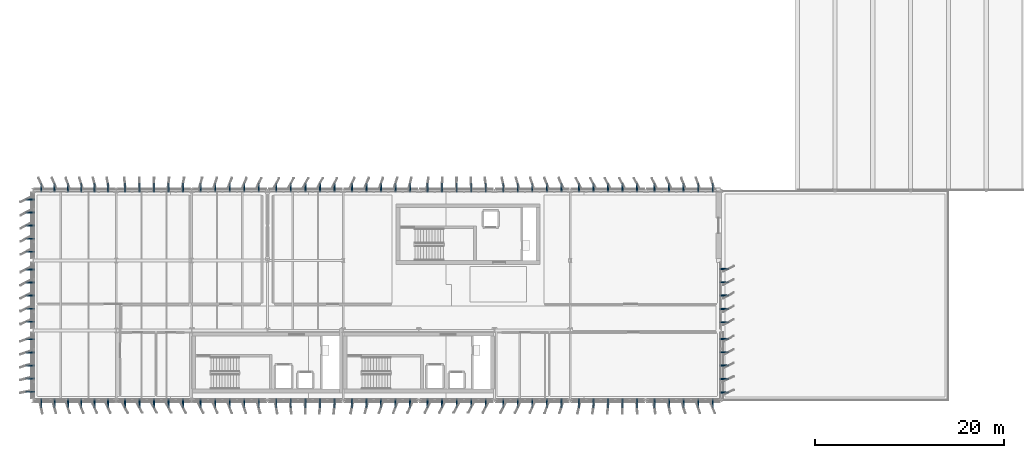
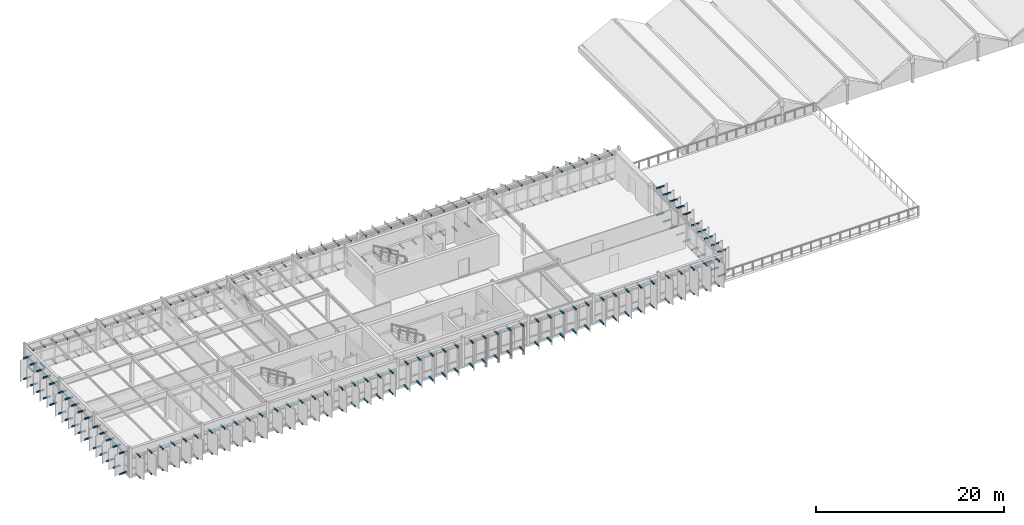
# One storey, part 29 of 35: 234 discrete accessories.
"""IFC4 building model written with IfcOpenShell, lengths in metres."""

from ifc_helpers import new_model, si_unit, direction, frame, origin, origin_2d, place, context, subcontext, project, spatial, rectangle, extrude, material, type_object, element, save


model = new_model("IFC4")

# Units and contexts
model_context = context("Model", 3, precision=1e-05, world=origin(), true_north=direction((0.0, 1.0)))
body_context = subcontext(model_context, "Body", "Model", "MODEL_VIEW")
ifc_project = project(units=[si_unit("LENGTHUNIT", "METRE"), si_unit("AREAUNIT", "SQUARE_METRE"), si_unit("VOLUMEUNIT", "CUBIC_METRE"), si_unit("PLANEANGLEUNIT", "RADIAN"), si_unit("MASSUNIT", "GRAM", prefix="KILO")], contexts=[model_context])

# Site, building, storey
site_placement = place(None, origin())
site = spatial("IfcSite", under=ifc_project, at=site_placement, CompositionType="ELEMENT")
building_placement = place(site_placement, origin())
building = spatial("IfcBuilding", under=site, at=building_placement, Name="Valkorina Park Police Headquarters", CompositionType="ELEMENT")
storey_placement = place(building_placement, frame((0.0, 0.0, 27.199951171875)))
storey = spatial("IfcBuildingStorey", under=building, at=storey_placement, Name="L07", CompositionType="ELEMENT", Elevation=27.199951171875)

# Discrete accessories
ifc_material = material(Name="Thermally broken aluminium AW-6060", Category="aluminium")
discrete_accessory_type = type_object("IfcDiscreteAccessoryType", Name="ACC-BRACKET-LOUVRE", PredefinedType="BRACKET", material=ifc_material)
for number, where, z_axis, x_axis, name in (
    (1, (71.8720703125, 36.719970703125, -0.06982421875), (0.0, 0.0, 1.0), (0.0, -1.0, 0.0), "Louvre Outrigger Bracket BOT 0923"),
    (2, (71.8720703125, 36.719970703125, 3.080078125), (0.0, 0.0, 1.0), (0.0, -1.0, 0.0), "Louvre Outrigger Bracket TOP 0924"),
    (3, (70.3359375, 36.719970703125, -0.06982421875), (0.0, 0.0, 1.0), (0.0, -1.0, 0.0), "Louvre Outrigger Bracket BOT 0925"),
    (4, (70.3359375, 36.719970703125, 3.080078125), (0.0, 0.0, 1.0), (0.0, -1.0, 0.0), "Louvre Outrigger Bracket TOP 0926"),
    (5, (68.800048828125, 36.719970703125, -0.06982421875), (0.0, 0.0, 1.0), (0.0, -1.0, 0.0), "Louvre Outrigger Bracket BOT 0927"),
    (6, (68.800048828125, 36.719970703125, 3.080078125), (0.0, 0.0, 1.0), (0.0, -1.0, 0.0), "Louvre Outrigger Bracket TOP 0928"),
    (7, (67.263916015625, 36.719970703125, -0.06982421875), (0.0, 0.0, 1.0), (0.0, -1.0, 0.0), "Louvre Outrigger Bracket BOT 0929"),
    (8, (67.263916015625, 36.719970703125, 3.080078125), (0.0, 0.0, 1.0), (0.0, -1.0, 0.0), "Louvre Outrigger Bracket TOP 0930"),
    (9, (65.72802734375, 36.719970703125, -0.06982421875), (0.0, 0.0, 1.0), (0.0, -1.0, 0.0), "Louvre Outrigger Bracket BOT 0931"),
    (10, (65.72802734375, 36.719970703125, 3.080078125), (0.0, 0.0, 1.0), (0.0, -1.0, 0.0), "Louvre Outrigger Bracket TOP 0932"),
    (11, (63.8720703125, 36.719970703125, -0.06982421875), (0.0, 0.0, 1.0), (0.0, -1.0, 0.0), "Louvre Outrigger Bracket BOT 0933"),
    (12, (63.8720703125, 36.719970703125, 3.01025390625), (0.0, 0.0, 1.0), (0.0, -1.0, 0.0), "Louvre Outrigger Bracket TOP 0934"),
    (13, (62.3359375, 36.719970703125, -0.06982421875), (0.0, 0.0, 1.0), (0.0, -1.0, 0.0), "Louvre Outrigger Bracket BOT 0935"),
    (14, (62.3359375, 36.719970703125, 3.01025390625), (0.0, 0.0, 1.0), (0.0, -1.0, 0.0), "Louvre Outrigger Bracket TOP 0936"),
    (15, (60.800048828125, 36.719970703125, -0.06982421875), (0.0, 0.0, 1.0), (0.0, -1.0, 0.0), "Louvre Outrigger Bracket BOT 0937"),
    (16, (60.800048828125, 36.719970703125, 3.01025390625), (0.0, 0.0, 1.0), (0.0, -1.0, 0.0), "Louvre Outrigger Bracket TOP 0938"),
    (17, (59.263916015625, 36.719970703125, -0.06982421875), (0.0, 0.0, 1.0), (0.0, -1.0, 0.0), "Louvre Outrigger Bracket BOT 0939"),
    (18, (59.263916015625, 36.719970703125, 3.01025390625), (0.0, 0.0, 1.0), (0.0, -1.0, 0.0), "Louvre Outrigger Bracket TOP 0940"),
    (19, (57.72802734375, 36.719970703125, -0.06982421875), (0.0, 0.0, 1.0), (0.0, -1.0, 0.0), "Louvre Outrigger Bracket BOT 0941"),
    (20, (57.72802734375, 36.719970703125, 3.01025390625), (0.0, 0.0, 1.0), (0.0, -1.0, 0.0), "Louvre Outrigger Bracket TOP 0942"),
    (21, (55.8720703125, 36.719970703125, -0.06982421875), (0.0, 0.0, 1.0), (0.0, -1.0, 0.0), "Louvre Outrigger Bracket BOT 0943"),
    (22, (55.8720703125, 36.719970703125, 3.01025390625), (0.0, 0.0, 1.0), (0.0, -1.0, 0.0), "Louvre Outrigger Bracket TOP 0944"),
    (23, (54.3359375, 36.719970703125, -0.06982421875), (0.0, 0.0, 1.0), (0.0, -1.0, 0.0), "Louvre Outrigger Bracket BOT 0945"),
    (24, (54.3359375, 36.719970703125, 3.01025390625), (0.0, 0.0, 1.0), (0.0, -1.0, 0.0), "Louvre Outrigger Bracket TOP 0946"),
    (25, (52.800048828125, 36.719970703125, -0.06982421875), (0.0, 0.0, 1.0), (0.0, -1.0, 0.0), "Louvre Outrigger Bracket BOT 0947"),
    (26, (52.800048828125, 36.719970703125, 3.01025390625), (0.0, 0.0, 1.0), (0.0, -1.0, 0.0), "Louvre Outrigger Bracket TOP 0948"),
    (27, (51.263916015625, 36.719970703125, -0.06982421875), (0.0, 0.0, 1.0), (0.0, -1.0, 0.0), "Louvre Outrigger Bracket BOT 0949"),
    (28, (51.263916015625, 36.719970703125, 3.01025390625), (0.0, 0.0, 1.0), (0.0, -1.0, 0.0), "Louvre Outrigger Bracket TOP 0950"),
    (29, (49.72802734375, 36.719970703125, -0.06982421875), (0.0, 0.0, 1.0), (0.0, -1.0, 0.0), "Louvre Outrigger Bracket BOT 0951"),
    (30, (49.72802734375, 36.719970703125, 3.01025390625), (0.0, 0.0, 1.0), (0.0, -1.0, 0.0), "Louvre Outrigger Bracket TOP 0952"),
    (31, (47.8720703125, 36.719970703125, -0.06982421875), (0.0, 0.0, 1.0), (0.0, -1.0, 0.0), "Louvre Outrigger Bracket BOT 0953"),
    (32, (47.8720703125, 36.719970703125, 3.080078125), (0.0, 0.0, 1.0), (0.0, -1.0, 0.0), "Louvre Outrigger Bracket TOP 0954"),
    (33, (46.3359375, 36.719970703125, -0.06982421875), (0.0, 0.0, 1.0), (0.0, -1.0, 0.0), "Louvre Outrigger Bracket BOT 0955"),
    (34, (46.3359375, 36.719970703125, 3.080078125), (0.0, 0.0, 1.0), (0.0, -1.0, 0.0), "Louvre Outrigger Bracket TOP 0956"),
    (35, (44.800048828125, 36.719970703125, -0.06982421875), (0.0, 0.0, 1.0), (0.0, -1.0, 0.0), "Louvre Outrigger Bracket BOT 0957"),
    (36, (44.800048828125, 36.719970703125, 3.080078125), (0.0, 0.0, 1.0), (0.0, -1.0, 0.0), "Louvre Outrigger Bracket TOP 0958"),
    (37, (43.263916015625, 36.719970703125, -0.06982421875), (0.0, 0.0, 1.0), (0.0, -1.0, 0.0), "Louvre Outrigger Bracket BOT 0959"),
    (38, (43.263916015625, 36.719970703125, 3.080078125), (0.0, 0.0, 1.0), (0.0, -1.0, 0.0), "Louvre Outrigger Bracket TOP 0960"),
    (39, (41.72802734375, 36.719970703125, -0.06982421875), (0.0, 0.0, 1.0), (0.0, -1.0, 0.0), "Louvre Outrigger Bracket BOT 0961"),
    (40, (41.72802734375, 36.719970703125, 3.080078125), (0.0, 0.0, 1.0), (0.0, -1.0, 0.0), "Louvre Outrigger Bracket TOP 0962"),
    (41, (39.8720703125, 36.719970703125, -0.06982421875), (0.0, 0.0, 1.0), (0.0, -1.0, 0.0), "Louvre Outrigger Bracket BOT 0963"),
    (42, (39.8720703125, 36.719970703125, 3.1201171875), (0.0, 0.0, 1.0), (0.0, -1.0, 0.0), "Louvre Outrigger Bracket TOP 0964"),
    (43, (38.3359375, 36.719970703125, -0.06982421875), (0.0, 0.0, 1.0), (0.0, -1.0, 0.0), "Louvre Outrigger Bracket BOT 0965"),
    (44, (38.3359375, 36.719970703125, 3.1201171875), (0.0, 0.0, 1.0), (0.0, -1.0, 0.0), "Louvre Outrigger Bracket TOP 0966"),
    (45, (36.800048828125, 36.719970703125, -0.06982421875), (0.0, 0.0, 1.0), (0.0, -1.0, 0.0), "Louvre Outrigger Bracket BOT 0967"),
    (46, (36.800048828125, 36.719970703125, 3.1201171875), (0.0, 0.0, 1.0), (0.0, -1.0, 0.0), "Louvre Outrigger Bracket TOP 0968"),
    (47, (35.263916015625, 36.719970703125, -0.06982421875), (0.0, 0.0, 1.0), (0.0, -1.0, 0.0), "Louvre Outrigger Bracket BOT 0969"),
    (48, (35.263916015625, 36.719970703125, 3.1201171875), (0.0, 0.0, 1.0), (0.0, -1.0, 0.0), "Louvre Outrigger Bracket TOP 0970"),
    (49, (33.72802734375, 36.719970703125, -0.06982421875), (0.0, 0.0, 1.0), (0.0, -1.0, 0.0), "Louvre Outrigger Bracket BOT 0971"),
    (50, (33.72802734375, 36.719970703125, 3.1201171875), (0.0, 0.0, 1.0), (0.0, -1.0, 0.0), "Louvre Outrigger Bracket TOP 0972"),
    (51, (31.8720703125, 36.719970703125, -0.06982421875), (0.0, 0.0, 1.0), (0.0, -1.0, 0.0), "Louvre Outrigger Bracket BOT 0973"),
    (52, (31.8720703125, 36.719970703125, 2.6201171875), (0.0, 0.0, 1.0), (0.0, -1.0, 0.0), "Louvre Outrigger Bracket TOP 0974"),
    (53, (30.3359375, 36.719970703125, -0.06982421875), (0.0, 0.0, 1.0), (0.0, -1.0, 0.0), "Louvre Outrigger Bracket BOT 0975"),
    (54, (30.3359375, 36.719970703125, 2.6201171875), (0.0, 0.0, 1.0), (0.0, -1.0, 0.0), "Louvre Outrigger Bracket TOP 0976"),
    (55, (28.800048828125, 36.719970703125, -0.06982421875), (0.0, 0.0, 1.0), (0.0, -1.0, 0.0), "Louvre Outrigger Bracket BOT 0977"),
    (56, (28.800048828125, 36.719970703125, 2.6201171875), (0.0, 0.0, 1.0), (0.0, -1.0, 0.0), "Louvre Outrigger Bracket TOP 0978"),
    (57, (27.263916015625, 36.719970703125, -0.06982421875), (0.0, 0.0, 1.0), (0.0, -1.0, 0.0), "Louvre Outrigger Bracket BOT 0979"),
    (58, (27.263916015625, 36.719970703125, 2.6201171875), (0.0, 0.0, 1.0), (0.0, -1.0, 0.0), "Louvre Outrigger Bracket TOP 0980"),
    (59, (25.72802734375, 36.719970703125, -0.06982421875), (0.0, 0.0, 1.0), (0.0, -1.0, 0.0), "Louvre Outrigger Bracket BOT 0981"),
    (60, (25.72802734375, 36.719970703125, 2.6201171875), (0.0, 0.0, 1.0), (0.0, -1.0, 0.0), "Louvre Outrigger Bracket TOP 0982"),
    (61, (23.8720703125, 36.719970703125, -0.06982421875), (0.0, 0.0, 1.0), (0.0, -1.0, 0.0), "Louvre Outrigger Bracket BOT 0983"),
    (62, (23.8720703125, 36.719970703125, 2.6201171875), (0.0, 0.0, 1.0), (0.0, -1.0, 0.0), "Louvre Outrigger Bracket TOP 0984"),
    (63, (22.3359375, 36.719970703125, -0.06982421875), (0.0, 0.0, 1.0), (0.0, -1.0, 0.0), "Louvre Outrigger Bracket BOT 0985"),
    (64, (22.3359375, 36.719970703125, 2.6201171875), (0.0, 0.0, 1.0), (0.0, -1.0, 0.0), "Louvre Outrigger Bracket TOP 0986"),
    (65, (20.800048828125, 36.719970703125, -0.06982421875), (0.0, 0.0, 1.0), (0.0, -1.0, 0.0), "Louvre Outrigger Bracket BOT 0987"),
    (66, (20.800048828125, 36.719970703125, 2.6201171875), (0.0, 0.0, 1.0), (0.0, -1.0, 0.0), "Louvre Outrigger Bracket TOP 0988"),
    (67, (19.263916015625, 36.719970703125, -0.06982421875), (0.0, 0.0, 1.0), (0.0, -1.0, 0.0), "Louvre Outrigger Bracket BOT 0989"),
    (68, (19.263916015625, 36.719970703125, 2.6201171875), (0.0, 0.0, 1.0), (0.0, -1.0, 0.0), "Louvre Outrigger Bracket TOP 0990"),
    (69, (17.72802734375, 36.719970703125, -0.06982421875), (0.0, 0.0, 1.0), (0.0, -1.0, 0.0), "Louvre Outrigger Bracket BOT 0991"),
    (70, (17.72802734375, 36.719970703125, 2.6201171875), (0.0, 0.0, 1.0), (0.0, -1.0, 0.0), "Louvre Outrigger Bracket TOP 0992"),
    (71, (15.8720703125, 36.719970703125, -0.06982421875), (0.0, 0.0, 1.0), (0.0, -1.0, 0.0), "Louvre Outrigger Bracket BOT 0993"),
    (72, (15.8720703125, 36.719970703125, 2.6201171875), (0.0, 0.0, 1.0), (0.0, -1.0, 0.0), "Louvre Outrigger Bracket TOP 0994"),
    (73, (14.3359375, 36.719970703125, -0.06982421875), (0.0, 0.0, 1.0), (0.0, -1.0, 0.0), "Louvre Outrigger Bracket BOT 0995"),
    (74, (14.3359375, 36.719970703125, 2.6201171875), (0.0, 0.0, 1.0), (0.0, -1.0, 0.0), "Louvre Outrigger Bracket TOP 0996"),
    (75, (12.800048828125, 36.719970703125, -0.06982421875), (0.0, 0.0, 1.0), (0.0, -1.0, 0.0), "Louvre Outrigger Bracket BOT 0997"),
    (76, (12.800048828125, 36.719970703125, 2.6201171875), (0.0, 0.0, 1.0), (0.0, -1.0, 0.0), "Louvre Outrigger Bracket TOP 0998"),
    (77, (11.263916015625, 36.719970703125, -0.06982421875), (0.0, 0.0, 1.0), (0.0, -1.0, 0.0), "Louvre Outrigger Bracket BOT 0999"),
    (78, (11.263916015625, 36.719970703125, 2.6201171875), (0.0, 0.0, 1.0), (0.0, -1.0, 0.0), "Louvre Outrigger Bracket TOP 1000"),
    (79, (9.72802734375, 36.719970703125, -0.06982421875), (0.0, 0.0, 1.0), (0.0, -1.0, 0.0), "Louvre Outrigger Bracket BOT 1001"),
    (80, (9.72802734375, 36.719970703125, 2.6201171875), (0.0, 0.0, 1.0), (0.0, -1.0, 0.0), "Louvre Outrigger Bracket TOP 1002"),
    (81, (7.933349609375, 36.719970703125, -0.06982421875), (0.0, 0.0, 1.0), (0.0, -1.0, 0.0), "Louvre Outrigger Bracket BOT 1003"),
    (82, (7.933349609375, 36.719970703125, 2.6201171875), (0.0, 0.0, 1.0), (0.0, -1.0, 0.0), "Louvre Outrigger Bracket TOP 1004"),
    (83, (6.52001953125, 36.719970703125, -0.06982421875), (0.0, 0.0, 1.0), (0.0, -1.0, 0.0), "Louvre Outrigger Bracket BOT 1005"),
    (84, (6.52001953125, 36.719970703125, 2.6201171875), (0.0, 0.0, 1.0), (0.0, -1.0, 0.0), "Louvre Outrigger Bracket TOP 1006"),
    (85, (5.106689453125, 36.719970703125, -0.06982421875), (0.0, 0.0, 1.0), (0.0, -1.0, 0.0), "Louvre Outrigger Bracket BOT 1007"),
    (86, (5.106689453125, 36.719970703125, 2.6201171875), (0.0, 0.0, 1.0), (0.0, -1.0, 0.0), "Louvre Outrigger Bracket TOP 1008"),
    (87, (3.693359375, 36.719970703125, -0.06982421875), (0.0, 0.0, 1.0), (0.0, -1.0, 0.0), "Louvre Outrigger Bracket BOT 1009"),
    (88, (3.693359375, 36.719970703125, 2.6201171875), (0.0, 0.0, 1.0), (0.0, -1.0, 0.0), "Louvre Outrigger Bracket TOP 1010"),
    (89, (2.280029296875, 36.719970703125, -0.06982421875), (0.0, 0.0, 1.0), (0.0, -1.0, 0.0), "Louvre Outrigger Bracket BOT 1011"),
    (90, (2.280029296875, 36.719970703125, 2.6201171875), (0.0, 0.0, 1.0), (0.0, -1.0, 0.0), "Louvre Outrigger Bracket TOP 1012"),
    (91, (0.86669921875, 36.719970703125, -0.06982421875), (0.0, 0.0, 1.0), (0.0, -1.0, 0.0), "Louvre Outrigger Bracket BOT 1013"),
    (92, (0.86669921875, 36.719970703125, 2.6201171875), (0.0, 0.0, 1.0), (0.0, -1.0, 0.0), "Louvre Outrigger Bracket TOP 1014"),
    (93, (-0.280029296875, 37.927978515625, -0.06982421875), (0.0, 0.0, 1.0), (-1.0, 0.0, 0.0), "Louvre Outrigger Bracket BOT 1015"),
    (94, (-0.280029296875, 37.927978515625, 2.6201171875), (0.0, 0.0, 1.0), (-1.0, 0.0, 0.0), "Louvre Outrigger Bracket TOP 1016"),
    (95, (-0.280029296875, 39.31396484375, -0.06982421875), (0.0, 0.0, 1.0), (-1.0, 0.0, 0.0), "Louvre Outrigger Bracket BOT 1017"),
    (96, (-0.280029296875, 39.31396484375, 2.6201171875), (0.0, 0.0, 1.0), (-1.0, 0.0, 0.0), "Louvre Outrigger Bracket TOP 1018"),
    (97, (-0.280029296875, 40.699951171875, -0.06982421875), (0.0, 0.0, 1.0), (-1.0, 0.0, 0.0), "Louvre Outrigger Bracket BOT 1019"),
    (98, (-0.280029296875, 40.699951171875, 2.6201171875), (0.0, 0.0, 1.0), (-1.0, 0.0, 0.0), "Louvre Outrigger Bracket TOP 1020"),
    (99, (-0.280029296875, 42.0859375, -0.06982421875), (0.0, 0.0, 1.0), (-1.0, 0.0, 0.0), "Louvre Outrigger Bracket BOT 1021"),
    (100, (-0.280029296875, 42.0859375, 2.6201171875), (0.0, 0.0, 1.0), (-1.0, 0.0, 0.0), "Louvre Outrigger Bracket TOP 1022"),
    (101, (-0.280029296875, 43.471923828125, -0.06982421875), (0.0, 0.0, 1.0), (-1.0, 0.0, 0.0), "Louvre Outrigger Bracket BOT 1023"),
    (102, (-0.280029296875, 43.471923828125, 2.6201171875), (0.0, 0.0, 1.0), (-1.0, 0.0, 0.0), "Louvre Outrigger Bracket TOP 1024"),
    (103, (-0.280029296875, 45.327880859375, -0.06982421875), (0.0, 0.0, 1.0), (-1.0, 0.0, 0.0), "Louvre Outrigger Bracket BOT 1025"),
    (104, (-0.280029296875, 45.327880859375, 2.6201171875), (0.0, 0.0, 1.0), (-1.0, 0.0, 0.0), "Louvre Outrigger Bracket TOP 1026"),
    (105, (-0.280029296875, 46.714111328125, -0.06982421875), (0.0, 0.0, 1.0), (-1.0, 0.0, 0.0), "Louvre Outrigger Bracket BOT 1027"),
    (106, (-0.280029296875, 46.714111328125, 2.6201171875), (0.0, 0.0, 1.0), (-1.0, 0.0, 0.0), "Louvre Outrigger Bracket TOP 1028"),
    (107, (-0.280029296875, 48.10009765625, -0.06982421875), (0.0, 0.0, 1.0), (-1.0, 0.0, 0.0), "Louvre Outrigger Bracket BOT 1029"),
    (108, (-0.280029296875, 48.10009765625, 2.6201171875), (0.0, 0.0, 1.0), (-1.0, 0.0, 0.0), "Louvre Outrigger Bracket TOP 1030"),
    (109, (-0.280029296875, 49.486083984375, -0.06982421875), (0.0, 0.0, 1.0), (-1.0, 0.0, 0.0), "Louvre Outrigger Bracket BOT 1031"),
    (110, (-0.280029296875, 49.486083984375, 2.6201171875), (0.0, 0.0, 1.0), (-1.0, 0.0, 0.0), "Louvre Outrigger Bracket TOP 1032"),
    (111, (-0.280029296875, 50.8720703125, -0.06982421875), (0.0, 0.0, 1.0), (-1.0, 0.0, 0.0), "Louvre Outrigger Bracket BOT 1033"),
    (112, (-0.280029296875, 50.8720703125, 2.6201171875), (0.0, 0.0, 1.0), (-1.0, 0.0, 0.0), "Louvre Outrigger Bracket TOP 1034"),
    (113, (-0.280029296875, 52.72802734375, -0.06982421875), (0.0, 0.0, 1.0), (-1.0, 0.0, 0.0), "Louvre Outrigger Bracket BOT 1035"),
    (114, (-0.280029296875, 52.72802734375, 2.6201171875), (0.0, 0.0, 1.0), (-1.0, 0.0, 0.0), "Louvre Outrigger Bracket TOP 1036"),
    (115, (-0.280029296875, 54.114013671875, -0.06982421875), (0.0, 0.0, 1.0), (-1.0, 0.0, 0.0), "Louvre Outrigger Bracket BOT 1037"),
    (116, (-0.280029296875, 54.114013671875, 2.6201171875), (0.0, 0.0, 1.0), (-1.0, 0.0, 0.0), "Louvre Outrigger Bracket TOP 1038"),
    (117, (-0.280029296875, 55.5, -0.06982421875), (0.0, 0.0, 1.0), (-1.0, 0.0, 0.0), "Louvre Outrigger Bracket BOT 1039"),
    (118, (-0.280029296875, 55.5, 2.6201171875), (0.0, 0.0, 1.0), (-1.0, 0.0, 0.0), "Louvre Outrigger Bracket TOP 1040"),
    (119, (-0.280029296875, 56.885986328125, -0.06982421875), (0.0, 0.0, 1.0), (-1.0, 0.0, 0.0), "Louvre Outrigger Bracket BOT 1041"),
    (120, (-0.280029296875, 56.885986328125, 2.6201171875), (0.0, 0.0, 1.0), (-1.0, 0.0, 0.0), "Louvre Outrigger Bracket TOP 1042"),
    (121, (-0.280029296875, 58.27197265625, -0.06982421875), (0.0, 0.0, 1.0), (-1.0, 0.0, 0.0), "Louvre Outrigger Bracket BOT 1043"),
    (122, (-0.280029296875, 58.27197265625, 2.6201171875), (0.0, 0.0, 1.0), (-1.0, 0.0, 0.0), "Louvre Outrigger Bracket TOP 1044"),
    (123, (0.86669921875, 59.47998046875, -0.06982421875), (0.0, 0.0, 1.0), (0.0, 1.0, 0.0), "Louvre Outrigger Bracket BOT 1045"),
    (124, (0.86669921875, 59.47998046875, 2.6201171875), (0.0, 0.0, 1.0), (0.0, 1.0, 0.0), "Louvre Outrigger Bracket TOP 1046"),
    (125, (2.280029296875, 59.47998046875, -0.06982421875), (0.0, 0.0, 1.0), (0.0, 1.0, 0.0), "Louvre Outrigger Bracket BOT 1047"),
    (126, (2.280029296875, 59.47998046875, 2.6201171875), (0.0, 0.0, 1.0), (0.0, 1.0, 0.0), "Louvre Outrigger Bracket TOP 1048"),
    (127, (3.693359375, 59.47998046875, -0.06982421875), (0.0, 0.0, 1.0), (0.0, 1.0, 0.0), "Louvre Outrigger Bracket BOT 1049"),
    (128, (3.693359375, 59.47998046875, 2.6201171875), (0.0, 0.0, 1.0), (0.0, 1.0, 0.0), "Louvre Outrigger Bracket TOP 1050"),
    (129, (5.106689453125, 59.47998046875, -0.06982421875), (0.0, 0.0, 1.0), (0.0, 1.0, 0.0), "Louvre Outrigger Bracket BOT 1051"),
    (130, (5.106689453125, 59.47998046875, 2.6201171875), (0.0, 0.0, 1.0), (0.0, 1.0, 0.0), "Louvre Outrigger Bracket TOP 1052"),
    (131, (6.52001953125, 59.47998046875, -0.06982421875), (0.0, 0.0, 1.0), (0.0, 1.0, 0.0), "Louvre Outrigger Bracket BOT 1053"),
    (132, (6.52001953125, 59.47998046875, 2.6201171875), (0.0, 0.0, 1.0), (0.0, 1.0, 0.0), "Louvre Outrigger Bracket TOP 1054"),
    (133, (7.933349609375, 59.47998046875, -0.06982421875), (0.0, 0.0, 1.0), (0.0, 1.0, 0.0), "Louvre Outrigger Bracket BOT 1055"),
    (134, (7.933349609375, 59.47998046875, 2.6201171875), (0.0, 0.0, 1.0), (0.0, 1.0, 0.0), "Louvre Outrigger Bracket TOP 1056"),
    (135, (9.72802734375, 59.47998046875, -0.06982421875), (0.0, 0.0, 1.0), (0.0, 1.0, 0.0), "Louvre Outrigger Bracket BOT 1057"),
    (136, (9.72802734375, 59.47998046875, 2.6201171875), (0.0, 0.0, 1.0), (0.0, 1.0, 0.0), "Louvre Outrigger Bracket TOP 1058"),
    (137, (11.263916015625, 59.47998046875, -0.06982421875), (0.0, 0.0, 1.0), (0.0, 1.0, 0.0), "Louvre Outrigger Bracket BOT 1059"),
    (138, (11.263916015625, 59.47998046875, 2.6201171875), (0.0, 0.0, 1.0), (0.0, 1.0, 0.0), "Louvre Outrigger Bracket TOP 1060"),
    (139, (12.800048828125, 59.47998046875, -0.06982421875), (0.0, 0.0, 1.0), (0.0, 1.0, 0.0), "Louvre Outrigger Bracket BOT 1061"),
    (140, (12.800048828125, 59.47998046875, 2.6201171875), (0.0, 0.0, 1.0), (0.0, 1.0, 0.0), "Louvre Outrigger Bracket TOP 1062"),
    (141, (14.3359375, 59.47998046875, -0.06982421875), (0.0, 0.0, 1.0), (0.0, 1.0, 0.0), "Louvre Outrigger Bracket BOT 1063"),
    (142, (14.3359375, 59.47998046875, 2.6201171875), (0.0, 0.0, 1.0), (0.0, 1.0, 0.0), "Louvre Outrigger Bracket TOP 1064"),
    (143, (15.8720703125, 59.47998046875, -0.06982421875), (0.0, 0.0, 1.0), (0.0, 1.0, 0.0), "Louvre Outrigger Bracket BOT 1065"),
    (144, (15.8720703125, 59.47998046875, 2.6201171875), (0.0, 0.0, 1.0), (0.0, 1.0, 0.0), "Louvre Outrigger Bracket TOP 1066"),
    (145, (17.72802734375, 59.47998046875, -0.06982421875), (0.0, 0.0, 1.0), (0.0, 1.0, 0.0), "Louvre Outrigger Bracket BOT 1067"),
    (146, (17.72802734375, 59.47998046875, 2.6201171875), (0.0, 0.0, 1.0), (0.0, 1.0, 0.0), "Louvre Outrigger Bracket TOP 1068"),
    (147, (19.263916015625, 59.47998046875, -0.06982421875), (0.0, 0.0, 1.0), (0.0, 1.0, 0.0), "Louvre Outrigger Bracket BOT 1069"),
    (148, (19.263916015625, 59.47998046875, 2.6201171875), (0.0, 0.0, 1.0), (0.0, 1.0, 0.0), "Louvre Outrigger Bracket TOP 1070"),
    (149, (20.800048828125, 59.47998046875, -0.06982421875), (0.0, 0.0, 1.0), (0.0, 1.0, 0.0), "Louvre Outrigger Bracket BOT 1071"),
    (150, (20.800048828125, 59.47998046875, 2.6201171875), (0.0, 0.0, 1.0), (0.0, 1.0, 0.0), "Louvre Outrigger Bracket TOP 1072"),
    (151, (22.3359375, 59.47998046875, -0.06982421875), (0.0, 0.0, 1.0), (0.0, 1.0, 0.0), "Louvre Outrigger Bracket BOT 1073"),
    (152, (22.3359375, 59.47998046875, 2.6201171875), (0.0, 0.0, 1.0), (0.0, 1.0, 0.0), "Louvre Outrigger Bracket TOP 1074"),
    (153, (23.8720703125, 59.47998046875, -0.06982421875), (0.0, 0.0, 1.0), (0.0, 1.0, 0.0), "Louvre Outrigger Bracket BOT 1075"),
    (154, (23.8720703125, 59.47998046875, 2.6201171875), (0.0, 0.0, 1.0), (0.0, 1.0, 0.0), "Louvre Outrigger Bracket TOP 1076"),
    (155, (25.72802734375, 59.47998046875, -0.06982421875), (0.0, 0.0, 1.0), (0.0, 1.0, 0.0), "Louvre Outrigger Bracket BOT 1077"),
    (156, (25.72802734375, 59.47998046875, 2.6201171875), (0.0, 0.0, 1.0), (0.0, 1.0, 0.0), "Louvre Outrigger Bracket TOP 1078"),
    (157, (27.263916015625, 59.47998046875, -0.06982421875), (0.0, 0.0, 1.0), (0.0, 1.0, 0.0), "Louvre Outrigger Bracket BOT 1079"),
    (158, (27.263916015625, 59.47998046875, 2.6201171875), (0.0, 0.0, 1.0), (0.0, 1.0, 0.0), "Louvre Outrigger Bracket TOP 1080"),
    (159, (28.800048828125, 59.47998046875, -0.06982421875), (0.0, 0.0, 1.0), (0.0, 1.0, 0.0), "Louvre Outrigger Bracket BOT 1081"),
    (160, (28.800048828125, 59.47998046875, 2.6201171875), (0.0, 0.0, 1.0), (0.0, 1.0, 0.0), "Louvre Outrigger Bracket TOP 1082"),
    (161, (30.3359375, 59.47998046875, -0.06982421875), (0.0, 0.0, 1.0), (0.0, 1.0, 0.0), "Louvre Outrigger Bracket BOT 1083"),
    (162, (30.3359375, 59.47998046875, 2.6201171875), (0.0, 0.0, 1.0), (0.0, 1.0, 0.0), "Louvre Outrigger Bracket TOP 1084"),
    (163, (31.8720703125, 59.47998046875, -0.06982421875), (0.0, 0.0, 1.0), (0.0, 1.0, 0.0), "Louvre Outrigger Bracket BOT 1085"),
    (164, (31.8720703125, 59.47998046875, 2.6201171875), (0.0, 0.0, 1.0), (0.0, 1.0, 0.0), "Louvre Outrigger Bracket TOP 1086"),
    (165, (33.72802734375, 59.47998046875, -0.06982421875), (0.0, 0.0, 1.0), (0.0, 1.0, 0.0), "Louvre Outrigger Bracket BOT 1087"),
    (166, (33.72802734375, 59.47998046875, 3.1201171875), (0.0, 0.0, 1.0), (0.0, 1.0, 0.0), "Louvre Outrigger Bracket TOP 1088"),
    (167, (35.263916015625, 59.47998046875, -0.06982421875), (0.0, 0.0, 1.0), (0.0, 1.0, 0.0), "Louvre Outrigger Bracket BOT 1089"),
    (168, (35.263916015625, 59.47998046875, 3.1201171875), (0.0, 0.0, 1.0), (0.0, 1.0, 0.0), "Louvre Outrigger Bracket TOP 1090"),
    (169, (36.800048828125, 59.47998046875, -0.06982421875), (0.0, 0.0, 1.0), (0.0, 1.0, 0.0), "Louvre Outrigger Bracket BOT 1091"),
    (170, (36.800048828125, 59.47998046875, 3.1201171875), (0.0, 0.0, 1.0), (0.0, 1.0, 0.0), "Louvre Outrigger Bracket TOP 1092"),
    (171, (38.3359375, 59.47998046875, -0.06982421875), (0.0, 0.0, 1.0), (0.0, 1.0, 0.0), "Louvre Outrigger Bracket BOT 1093"),
    (172, (38.3359375, 59.47998046875, 3.1201171875), (0.0, 0.0, 1.0), (0.0, 1.0, 0.0), "Louvre Outrigger Bracket TOP 1094"),
    (173, (39.8720703125, 59.47998046875, -0.06982421875), (0.0, 0.0, 1.0), (0.0, 1.0, 0.0), "Louvre Outrigger Bracket BOT 1095"),
    (174, (39.8720703125, 59.47998046875, 3.1201171875), (0.0, 0.0, 1.0), (0.0, 1.0, 0.0), "Louvre Outrigger Bracket TOP 1096"),
    (175, (41.72802734375, 59.47998046875, -0.06982421875), (0.0, 0.0, 1.0), (0.0, 1.0, 0.0), "Louvre Outrigger Bracket BOT 1097"),
    (176, (41.72802734375, 59.47998046875, 3.080078125), (0.0, 0.0, 1.0), (0.0, 1.0, 0.0), "Louvre Outrigger Bracket TOP 1098"),
    (177, (43.263916015625, 59.47998046875, -0.06982421875), (0.0, 0.0, 1.0), (0.0, 1.0, 0.0), "Louvre Outrigger Bracket BOT 1099"),
    (178, (43.263916015625, 59.47998046875, 3.080078125), (0.0, 0.0, 1.0), (0.0, 1.0, 0.0), "Louvre Outrigger Bracket TOP 1100"),
    (179, (44.800048828125, 59.47998046875, -0.06982421875), (0.0, 0.0, 1.0), (0.0, 1.0, 0.0), "Louvre Outrigger Bracket BOT 1101"),
    (180, (44.800048828125, 59.47998046875, 3.080078125), (0.0, 0.0, 1.0), (0.0, 1.0, 0.0), "Louvre Outrigger Bracket TOP 1102"),
    (181, (46.3359375, 59.47998046875, -0.06982421875), (0.0, 0.0, 1.0), (0.0, 1.0, 0.0), "Louvre Outrigger Bracket BOT 1103"),
    (182, (46.3359375, 59.47998046875, 3.080078125), (0.0, 0.0, 1.0), (0.0, 1.0, 0.0), "Louvre Outrigger Bracket TOP 1104"),
    (183, (47.8720703125, 59.47998046875, -0.06982421875), (0.0, 0.0, 1.0), (0.0, 1.0, 0.0), "Louvre Outrigger Bracket BOT 1105"),
    (184, (47.8720703125, 59.47998046875, 3.080078125), (0.0, 0.0, 1.0), (0.0, 1.0, 0.0), "Louvre Outrigger Bracket TOP 1106"),
    (185, (49.72802734375, 59.47998046875, -0.06982421875), (0.0, 0.0, 1.0), (0.0, 1.0, 0.0), "Louvre Outrigger Bracket BOT 1107"),
    (186, (49.72802734375, 59.47998046875, 3.01025390625), (0.0, 0.0, 1.0), (0.0, 1.0, 0.0), "Louvre Outrigger Bracket TOP 1108"),
    (187, (51.263916015625, 59.47998046875, -0.06982421875), (0.0, 0.0, 1.0), (0.0, 1.0, 0.0), "Louvre Outrigger Bracket BOT 1109"),
    (188, (51.263916015625, 59.47998046875, 3.01025390625), (0.0, 0.0, 1.0), (0.0, 1.0, 0.0), "Louvre Outrigger Bracket TOP 1110"),
    (189, (52.800048828125, 59.47998046875, -0.06982421875), (0.0, 0.0, 1.0), (0.0, 1.0, 0.0), "Louvre Outrigger Bracket BOT 1111"),
    (190, (52.800048828125, 59.47998046875, 3.01025390625), (0.0, 0.0, 1.0), (0.0, 1.0, 0.0), "Louvre Outrigger Bracket TOP 1112"),
    (191, (54.3359375, 59.47998046875, -0.06982421875), (0.0, 0.0, 1.0), (0.0, 1.0, 0.0), "Louvre Outrigger Bracket BOT 1113"),
    (192, (54.3359375, 59.47998046875, 3.01025390625), (0.0, 0.0, 1.0), (0.0, 1.0, 0.0), "Louvre Outrigger Bracket TOP 1114"),
    (193, (55.8720703125, 59.47998046875, -0.06982421875), (0.0, 0.0, 1.0), (0.0, 1.0, 0.0), "Louvre Outrigger Bracket BOT 1115"),
    (194, (55.8720703125, 59.47998046875, 3.01025390625), (0.0, 0.0, 1.0), (0.0, 1.0, 0.0), "Louvre Outrigger Bracket TOP 1116"),
    (195, (57.72802734375, 59.47998046875, -0.06982421875), (0.0, 0.0, 1.0), (0.0, 1.0, 0.0), "Louvre Outrigger Bracket BOT 1117"),
    (196, (57.72802734375, 59.47998046875, 3.01025390625), (0.0, 0.0, 1.0), (0.0, 1.0, 0.0), "Louvre Outrigger Bracket TOP 1118"),
    (197, (59.263916015625, 59.47998046875, -0.06982421875), (0.0, 0.0, 1.0), (0.0, 1.0, 0.0), "Louvre Outrigger Bracket BOT 1119"),
    (198, (59.263916015625, 59.47998046875, 3.01025390625), (0.0, 0.0, 1.0), (0.0, 1.0, 0.0), "Louvre Outrigger Bracket TOP 1120"),
    (199, (60.800048828125, 59.47998046875, -0.06982421875), (0.0, 0.0, 1.0), (0.0, 1.0, 0.0), "Louvre Outrigger Bracket BOT 1121"),
    (200, (60.800048828125, 59.47998046875, 3.01025390625), (0.0, 0.0, 1.0), (0.0, 1.0, 0.0), "Louvre Outrigger Bracket TOP 1122"),
    (201, (62.3359375, 59.47998046875, -0.06982421875), (0.0, 0.0, 1.0), (0.0, 1.0, 0.0), "Louvre Outrigger Bracket BOT 1123"),
    (202, (62.3359375, 59.47998046875, 3.01025390625), (0.0, 0.0, 1.0), (0.0, 1.0, 0.0), "Louvre Outrigger Bracket TOP 1124"),
    (203, (63.8720703125, 59.47998046875, -0.06982421875), (0.0, 0.0, 1.0), (0.0, 1.0, 0.0), "Louvre Outrigger Bracket BOT 1125"),
    (204, (63.8720703125, 59.47998046875, 3.01025390625), (0.0, 0.0, 1.0), (0.0, 1.0, 0.0), "Louvre Outrigger Bracket TOP 1126"),
    (205, (65.72802734375, 59.47998046875, -0.06982421875), (0.0, 0.0, 1.0), (0.0, 1.0, 0.0), "Louvre Outrigger Bracket BOT 1127"),
    (206, (65.72802734375, 59.47998046875, 3.080078125), (0.0, 0.0, 1.0), (0.0, 1.0, 0.0), "Louvre Outrigger Bracket TOP 1128"),
    (207, (67.263916015625, 59.47998046875, -0.06982421875), (0.0, 0.0, 1.0), (0.0, 1.0, 0.0), "Louvre Outrigger Bracket BOT 1129"),
    (208, (67.263916015625, 59.47998046875, 3.080078125), (0.0, 0.0, 1.0), (0.0, 1.0, 0.0), "Louvre Outrigger Bracket TOP 1130"),
    (209, (68.800048828125, 59.47998046875, -0.06982421875), (0.0, 0.0, 1.0), (0.0, 1.0, 0.0), "Louvre Outrigger Bracket BOT 1131"),
    (210, (68.800048828125, 59.47998046875, 3.080078125), (0.0, 0.0, 1.0), (0.0, 1.0, 0.0), "Louvre Outrigger Bracket TOP 1132"),
    (211, (70.3359375, 59.47998046875, -0.06982421875), (0.0, 0.0, 1.0), (0.0, 1.0, 0.0), "Louvre Outrigger Bracket BOT 1133"),
    (212, (70.3359375, 59.47998046875, 3.080078125), (0.0, 0.0, 1.0), (0.0, 1.0, 0.0), "Louvre Outrigger Bracket TOP 1134"),
    (213, (71.8720703125, 59.47998046875, -0.06982421875), (0.0, 0.0, 1.0), (0.0, 1.0, 0.0), "Louvre Outrigger Bracket BOT 1135"),
    (214, (71.8720703125, 59.47998046875, 3.080078125), (0.0, 0.0, 1.0), (0.0, 1.0, 0.0), "Louvre Outrigger Bracket TOP 1136"),
    (215, (73.080078125, 50.924072265625, -0.06982421875), (0.0, 0.0, 1.0), (1.0, 0.0, 0.0), "Louvre Outrigger Bracket BOT 1137"),
    (216, (73.080078125, 50.924072265625, 3.41015625), (0.0, 0.0, 1.0), (1.0, 0.0, 0.0), "Louvre Outrigger Bracket TOP 1138"),
    (217, (73.080078125, 49.511962890625, -0.06982421875), (0.0, 0.0, 1.0), (1.0, 0.0, 0.0), "Louvre Outrigger Bracket BOT 1139"),
    (218, (73.080078125, 49.511962890625, 3.41015625), (0.0, 0.0, 1.0), (1.0, 0.0, 0.0), "Louvre Outrigger Bracket TOP 1140"),
    (219, (73.080078125, 48.10009765625, -0.06982421875), (0.0, 0.0, 1.0), (1.0, 0.0, 0.0), "Louvre Outrigger Bracket BOT 1141"),
    (220, (73.080078125, 48.10009765625, 3.41015625), (0.0, 0.0, 1.0), (1.0, 0.0, 0.0), "Louvre Outrigger Bracket TOP 1142"),
    (221, (73.080078125, 46.68798828125, -0.06982421875), (0.0, 0.0, 1.0), (1.0, 0.0, 0.0), "Louvre Outrigger Bracket BOT 1143"),
    (222, (73.080078125, 46.68798828125, 3.41015625), (0.0, 0.0, 1.0), (1.0, 0.0, 0.0), "Louvre Outrigger Bracket TOP 1144"),
    (223, (73.080078125, 45.27587890625, -0.06982421875), (0.0, 0.0, 1.0), (1.0, 0.0, 0.0), "Louvre Outrigger Bracket BOT 1145"),
    (224, (73.080078125, 45.27587890625, 3.41015625), (0.0, 0.0, 1.0), (1.0, 0.0, 0.0), "Louvre Outrigger Bracket TOP 1146"),
    (225, (73.080078125, 43.52294921875, -0.06982421875), (0.0, 0.0, 1.0), (1.0, 0.0, 0.0), "Louvre Outrigger Bracket BOT 1147"),
    (226, (73.080078125, 43.52294921875, 3.080078125), (0.0, 0.0, 1.0), (1.0, 0.0, 0.0), "Louvre Outrigger Bracket TOP 1148"),
    (227, (73.080078125, 42.10888671875, -0.06982421875), (0.0, 0.0, 1.0), (1.0, 0.0, 0.0), "Louvre Outrigger Bracket BOT 1149"),
    (228, (73.080078125, 42.10888671875, 3.080078125), (0.0, 0.0, 1.0), (1.0, 0.0, 0.0), "Louvre Outrigger Bracket TOP 1150"),
    (229, (73.080078125, 40.695068359375, -0.06982421875), (0.0, 0.0, 1.0), (1.0, 0.0, 0.0), "Louvre Outrigger Bracket BOT 1151"),
    (230, (73.080078125, 40.695068359375, 3.080078125), (0.0, 0.0, 1.0), (1.0, 0.0, 0.0), "Louvre Outrigger Bracket TOP 1152"),
    (231, (73.080078125, 39.281005859375, -0.06982421875), (0.0, 0.0, 1.0), (1.0, 0.0, 0.0), "Louvre Outrigger Bracket BOT 1153"),
    (232, (73.080078125, 39.281005859375, 3.080078125), (0.0, 0.0, 1.0), (1.0, 0.0, 0.0), "Louvre Outrigger Bracket TOP 1154"),
    (233, (73.080078125, 37.866943359375, -0.06982421875), (0.0, 0.0, 1.0), (1.0, 0.0, 0.0), "Louvre Outrigger Bracket BOT 1155"),
    (234, (73.080078125, 37.866943359375, 3.080078125), (0.0, 0.0, 1.0), (1.0, 0.0, 0.0), "Louvre Outrigger Bracket TOP 1156"),
):
    element("IfcDiscreteAccessory", number, at=place(storey_placement, frame(where, z_axis=z_axis, x_axis=x_axis)), inside=storey, type_object=discrete_accessory_type, Name=name, PredefinedType="BRACKET", context=body_context, shape_type="SweptSolid", body=[
        extrude(rectangle(XDim=0.9599609375, YDim=0.139892578125, at=origin_2d()), origin(), (0.0, 0.0, 1.0), 0.179931640625),
    ])

save(model, "model.ifc")
